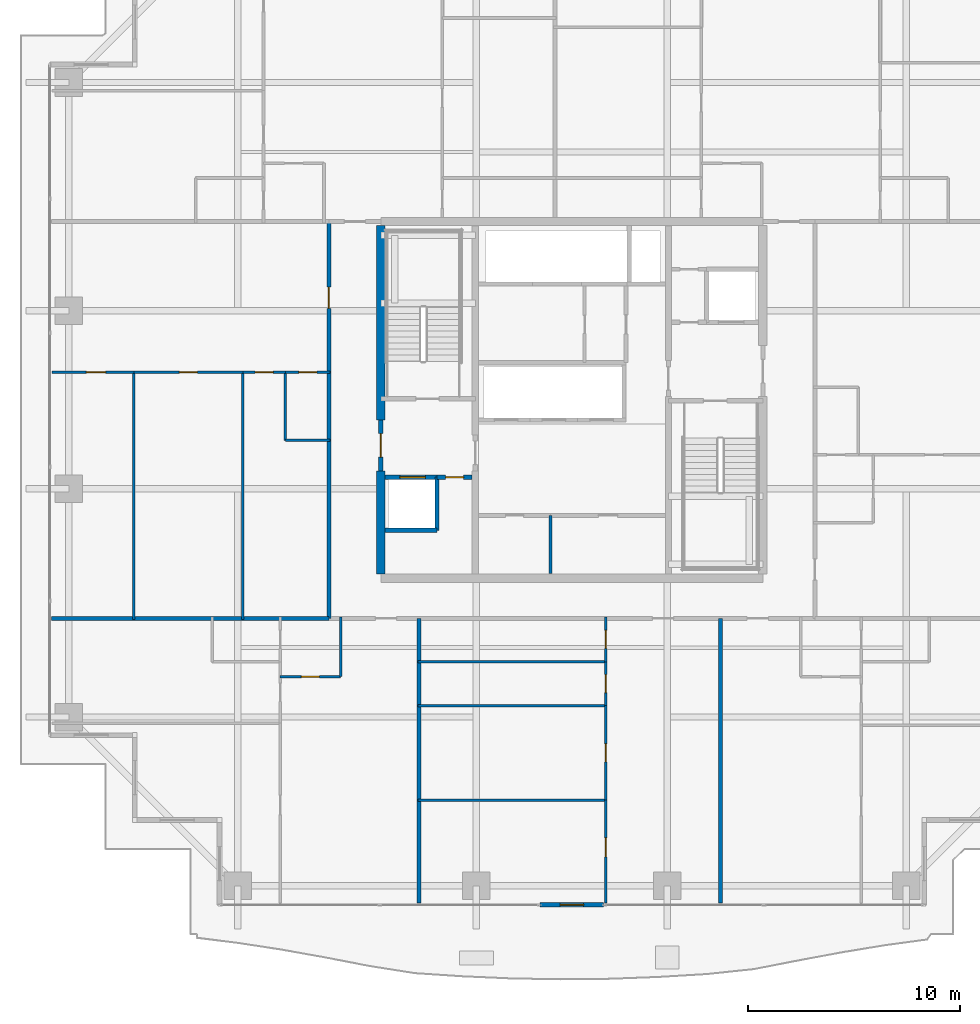
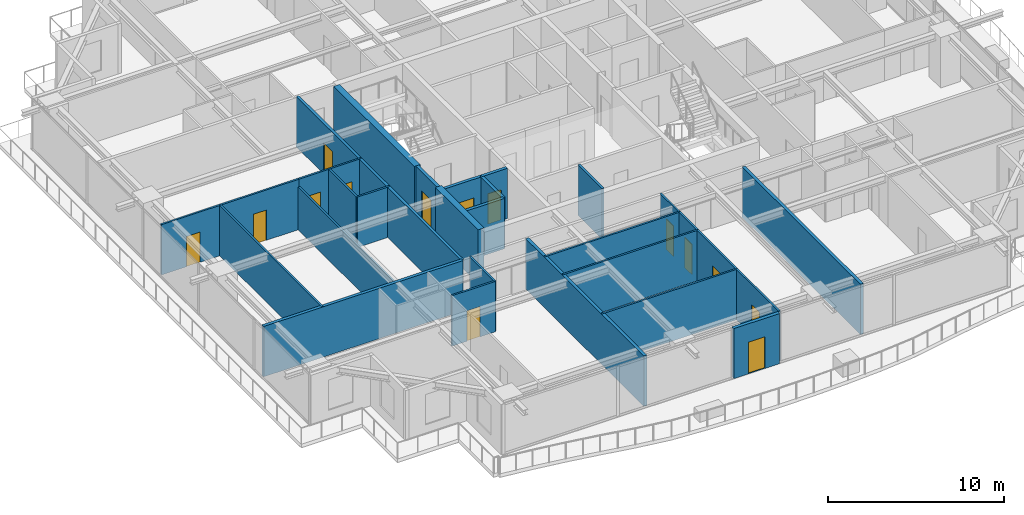
# One storey, part 27 of 37: 30 walls, 14 doors, 14 openings.
"""IFC4 building model written with IfcOpenShell, lengths in metres."""

from ifc_helpers import new_model, si_unit, direction, frame, frame_2d, origin, place, context, subcontext, project, spatial, rectangle, extrude, source, transform, mapped, material, layer, layer_set, type_object, element, fill, save


model = new_model("IFC4")

# Units and contexts
model_context = context("Model", 3, precision=1e-05, world=origin(), true_north=direction((0.0, 1.0)))
body_context = subcontext(model_context, "Body", "Model", "MODEL_VIEW")
ifc_project = project(units=[si_unit("LENGTHUNIT", "METRE"), si_unit("AREAUNIT", "SQUARE_METRE"), si_unit("VOLUMEUNIT", "CUBIC_METRE"), si_unit("PLANEANGLEUNIT", "RADIAN"), si_unit("MASSUNIT", "GRAM", prefix="KILO")], contexts=[model_context])

# Site, building, storey
site_placement = place(None, origin())
site = spatial("IfcSite", under=ifc_project, at=site_placement, CompositionType="ELEMENT")
building_placement = place(site_placement, origin())
building = spatial("IfcBuilding", under=site, at=building_placement, Name="Serunith Strait Residences", CompositionType="ELEMENT")
storey_placement = place(building_placement, frame((0.0, 0.0, 161.39990234375)))
storey = spatial("IfcBuildingStorey", under=building, at=storey_placement, Name="L40", CompositionType="ELEMENT", Elevation=161.39990234375)

# Wall, opening, door
ifc_material_1 = material(Name="Pale-Champagne Aluminium Insulated Panel", Category="aluminium")
ifc_layer_1 = layer(ifc_material_1, 0.219970703125, Name="Pale-Champagne Aluminium Insulated Panel")
ifc_layer_set_1 = layer_set([ifc_layer_1], Name="Pale-Champagne Aluminium Insulated Panel")
wall_type_1 = type_object("IfcWallType", Name="EW-ALUM-220", PredefinedType="ELEMENTEDWALL", material=ifc_layer_set_1)
wall_1_placement = place(storey_placement, frame((30.89990234375, 1.39990234375, 0.0), z_axis=(0.0, 0.0, 1.0), x_axis=(1.0, 0.0, 0.0)))
wall_1 = element("IfcWall", 1, at=wall_1_placement, inside=storey, type_object=wall_type_1, Name="L40 S Facade Pier Wall", PredefinedType="ELEMENTEDWALL", context=body_context, shape_type="SweptSolid", body=[
    extrude(rectangle(XDim=3.0, YDim=0.219970703125, at=frame_2d((1.5, 0.0))), origin(), (0.0, 0.0, 1.0), 3.47509765625),
])
opening_1_placement = place(wall_1_placement, frame((0.949951171875, 0.0, 0.0)))
opening_1 = element("IfcOpeningElement", 2, at=opening_1_placement, cuts=wall_1, Name="Opening ED-03", PredefinedType="OPENING", context=body_context, shape_type="SweptSolid", body=[
    extrude(rectangle(XDim=1.10009765625, YDim=2.199951171875, at=frame_2d((0.550048828125, 1.10009765625))), frame((0.0, 0.1201171875, 0.0), z_axis=(0.0, -1.0, 0.0), x_axis=(1.0, 0.0, 0.0)), (0.0, 0.0, 1.0), 0.239990234375),
])
ifc_material_2 = material(Name="Thermally-Broken Aluminium Glazed Balcony Door", Category="aluminium")
door_type_1 = type_object("IfcDoorType", Name="ED-BALC-1100", OperationType="NOTDEFINED", PredefinedType="DOOR", material=ifc_material_2)
shared_shape_1 = source(origin(), body_context, "Body", "SweptSolid", [
    extrude(rectangle(XDim=1.10009765625, YDim=2.199951171875, at=frame_2d((0.550048828125, 1.10009765625))), frame((0.0, 0.02490234375, 0.0), z_axis=(0.0, -1.0, 0.0), x_axis=(1.0, 0.0, 0.0)), (0.0, 0.0, 1.0), 0.050048828125),
])
door_1_placement = place(opening_1_placement, origin())
door_1 = element("IfcDoor", 3, at=door_1_placement, inside=storey, type_object=door_type_1, Name="L40 S Vertical-Forest Balcony Door", OperationType="SINGLE_SWING_LEFT", OverallHeight=2.199951171875, OverallWidth=1.10009765625, PredefinedType="DOOR", context=body_context, shape_type="MappedRepresentation", body=[
    mapped(shared_shape_1, transform((0.0, 0.0, 0.0), scale=1.0)),
])
fill(opening_1, door_1)

# Wall
ifc_material_3 = material(Name="Fire-rated masonry service closet wall", Category="masonry")
ifc_layer_2 = layer(ifc_material_3, 0.14990234375, Name="Fire-rated masonry service closet wall")
ifc_layer_set_2 = layer_set([ifc_layer_2], Name="Fire-rated masonry service closet wall")
wall_type_2 = type_object("IfcWallType", Name="IW-BOH-150", PredefinedType="PARTITIONING", material=ifc_layer_set_2)
wall_2_placement = place(storey_placement, frame((31.39990234375, 17.02001953125, 0.0), z_axis=(0.0, 0.0, 1.0), x_axis=(0.0, 1.0, 0.0)))
element("IfcWall", 4, at=wall_2_placement, inside=storey, type_object=wall_type_2, Name="L40 Partition Wall 017", PredefinedType="PARTITIONING", context=body_context, shape_type="SweptSolid", body=[
    extrude(rectangle(XDim=2.72998046875, YDim=0.14990234375, at=frame_2d((1.364990234375, 0.0))), origin(), (0.0, 0.0, 1.0), 3.489990234375),
])

# Wall, opening, door
ifc_material_4 = material(Name="Fire-rated acoustic gypsum partition")
ifc_layer_3 = layer(ifc_material_4, 0.179931640625, Name="Fire-rated acoustic gypsum partition")
ifc_layer_set_3 = layer_set([ifc_layer_3], Name="Fire-rated acoustic gypsum partition")
wall_type_3 = type_object("IfcWallType", Name="IW-CORR-180", PredefinedType="PARTITIONING", material=ifc_layer_set_3)
wall_3_placement = place(storey_placement, frame((20.949951171875, 14.89990234375, 0.0), z_axis=(0.0, 0.0, 1.0), x_axis=(0.0, 1.0, 0.0)))
wall_3 = element("IfcWall", 5, at=wall_3_placement, inside=storey, type_object=wall_type_3, Name="L40 Partition Wall 026", PredefinedType="PARTITIONING", context=body_context, shape_type="SweptSolid", body=[
    extrude(rectangle(XDim=18.7001953125, YDim=0.179931640625, at=frame_2d((9.35009765625, 0.0))), origin(), (0.0, 0.0, 1.0), 3.489990234375),
])
opening_2_placement = place(wall_3_placement, frame((14.60302734375, 0.0, 0.0)))
opening_2 = element("IfcOpeningElement", 6, at=opening_2_placement, cuts=wall_3, Name="Opening D-APT1000", PredefinedType="OPENING", context=body_context, shape_type="SweptSolid", body=[
    extrude(rectangle(XDim=1.0, YDim=2.14990234375, at=frame_2d((0.5, 1.074951171875))), frame((0.0, 0.10009765625, 0.0), z_axis=(0.0, -1.0, 0.0), x_axis=(1.0, 0.0, 0.0)), (0.0, 0.0, 1.0), 0.199951171875),
])
ifc_material_5 = material(Name="Solid timber engineered fire door", Category="wood")
door_type_2 = type_object("IfcDoorType", Name="ID-APT-1000", OperationType="NOTDEFINED", PredefinedType="DOOR", material=ifc_material_5)
shared_shape_2 = source(origin(), body_context, "Body", "SweptSolid", [
    extrude(rectangle(XDim=1.0, YDim=2.14990234375, at=frame_2d((0.5, 1.074951171875))), frame((0.0, 0.02490234375, 0.0), z_axis=(0.0, -1.0, 0.0), x_axis=(1.0, 0.0, 0.0)), (0.0, 0.0, 1.0), 0.050048828125),
])
door_2_placement = place(opening_2_placement, origin())
door_2 = element("IfcDoor", 7, at=door_2_placement, inside=storey, type_object=door_type_2, Name="L40 Unit 06 Entrance Door", OperationType="SINGLE_SWING_LEFT", OverallHeight=2.14990234375, OverallWidth=1.0, PredefinedType="DOOR", context=body_context, shape_type="MappedRepresentation", body=[
    mapped(shared_shape_2, transform((0.0, 0.0, 0.0), scale=1.0)),
])
fill(opening_2, door_2)

ifc_material_6 = material(Name="Lightweight steel-stud gypsum partition", Category="steel")
ifc_layer_4 = layer(ifc_material_6, 0.1201171875, Name="Lightweight steel-stud gypsum partition")
ifc_layer_set_4 = layer_set([ifc_layer_4], Name="Lightweight steel-stud gypsum partition")
wall_type_4 = type_object("IfcWallType", Name="IW-PART-120", PredefinedType="PARTITIONING", material=ifc_layer_set_4)
wall_4_placement = place(storey_placement, frame((18.64990234375, 12.14990234375, 0.0), z_axis=(0.0, 0.0, 1.0), x_axis=(1.0, 0.0, 0.0)))
wall_4 = element("IfcWall", 8, at=wall_4_placement, inside=storey, type_object=wall_type_4, Name="L40 Partition Wall 030", PredefinedType="PARTITIONING", context=body_context, shape_type="SweptSolid", body=[
    extrude(rectangle(XDim=2.85009765625, YDim=0.1201171875, at=frame_2d((1.425048828125, 0.0))), origin(), (0.0, 0.0, 1.0), 3.489990234375),
])
opening_3_placement = place(wall_4_placement, frame((1.0, 0.0, 0.0)))
opening_3 = element("IfcOpeningElement", 9, at=opening_3_placement, cuts=wall_4, Name="Opening D-RM850", PredefinedType="OPENING", context=body_context, shape_type="SweptSolid", body=[
    extrude(rectangle(XDim=0.85009765625, YDim=2.10009765625, at=frame_2d((0.425048828125, 1.050048828125))), frame((0.0, 0.070068359375, 0.0), z_axis=(0.0, -1.0, 0.0), x_axis=(1.0, 0.0, 0.0)), (0.0, 0.0, 1.0), 0.14013671875),
])
ifc_material_7 = material(Name="Engineered timber flush study and kitchen door", Category="wood")
door_type_3 = type_object("IfcDoorType", Name="ID-ROOM-850", OperationType="NOTDEFINED", PredefinedType="DOOR", material=ifc_material_7)
shared_shape_3 = source(origin(), body_context, "Body", "SweptSolid", [
    extrude(rectangle(XDim=0.85009765625, YDim=2.10009765625, at=frame_2d((0.425048828125, 1.050048828125))), frame((0.0, 0.02490234375, 0.0), z_axis=(0.0, -1.0, 0.0), x_axis=(1.0, 0.0, 0.0)), (0.0, 0.0, 1.0), 0.050048828125),
])
door_3_placement = place(opening_3_placement, origin())
door_3 = element("IfcDoor", 10, at=door_3_placement, inside=storey, type_object=door_type_3, Name="L40 Kitchen 4001 Door", OperationType="SINGLE_SWING_LEFT", OverallHeight=2.10009765625, OverallWidth=0.85009765625, PredefinedType="DOOR", context=body_context, shape_type="MappedRepresentation", body=[
    mapped(shared_shape_3, transform((0.0, 0.0, 0.0), scale=1.0)),
])
fill(opening_3, door_3)

# Wall
wall_5_placement = place(storey_placement, frame((21.5, 12.14990234375, 0.0), z_axis=(0.0, 0.0, 1.0), x_axis=(0.0, 1.0, 0.0)))
element("IfcWall", 11, at=wall_5_placement, inside=storey, type_object=wall_type_4, Name="L40 Partition Wall 031", PredefinedType="PARTITIONING", context=body_context, shape_type="SweptSolid", body=[
    extrude(rectangle(XDim=2.81005859375, YDim=0.1201171875, at=frame_2d((1.405029296875, 0.0))), origin(), (0.0, 0.0, 1.0), 3.489990234375),
])

# Wall, opening, door
wall_6_placement = place(storey_placement, frame((34.0, 1.4951171875, 0.0), z_axis=(0.0, 0.0, 1.0), x_axis=(0.0, 1.0, 0.0)))
wall_6 = element("IfcWall", 12, at=wall_6_placement, inside=storey, type_object=wall_type_4, Name="L40 Partition Wall 038", PredefinedType="PARTITIONING", context=body_context, shape_type="SweptSolid", body=[
    extrude(rectangle(XDim=4.8369140625, YDim=0.1201171875, at=frame_2d((2.41845703125, 0.0))), origin(), (0.0, 0.0, 1.0), 3.489990234375),
])
opening_4_placement = place(wall_6_placement, frame((2.1650390625, 0.0, 0.0)))
opening_4 = element("IfcOpeningElement", 13, at=opening_4_placement, cuts=wall_6, Name="Opening D-RM900", PredefinedType="OPENING", context=body_context, shape_type="SweptSolid", body=[
    extrude(rectangle(XDim=0.89990234375, YDim=2.10009765625, at=frame_2d((0.449951171875, 1.050048828125))), frame((0.0, 0.070068359375, 0.0), z_axis=(0.0, -1.0, 0.0), x_axis=(1.0, 0.0, 0.0)), (0.0, 0.0, 1.0), 0.14013671875),
])
ifc_material_8 = material(Name="Engineered timber flush bedroom door", Category="wood")
door_type_4 = type_object("IfcDoorType", Name="ID-ROOM-900", OperationType="NOTDEFINED", PredefinedType="DOOR", material=ifc_material_8)
shared_shape_4 = source(origin(), body_context, "Body", "SweptSolid", [
    extrude(rectangle(XDim=0.89990234375, YDim=2.10009765625, at=frame_2d((0.449951171875, 1.050048828125))), frame((0.0, 0.02490234375, 0.0), z_axis=(0.0, -1.0, 0.0), x_axis=(1.0, 0.0, 0.0)), (0.0, 0.0, 1.0), 0.050048828125),
])
door_4_placement = place(opening_4_placement, origin())
door_4 = element("IfcDoor", 14, at=door_4_placement, inside=storey, type_object=door_type_4, Name="L40 Master Bedroom 1 4002 Door", OperationType="SINGLE_SWING_LEFT", OverallHeight=2.10009765625, OverallWidth=0.89990234375, PredefinedType="DOOR", context=body_context, shape_type="MappedRepresentation", body=[
    mapped(shared_shape_4, transform((0.0, 0.0, 0.0), scale=1.0)),
])
fill(opening_4, door_4)

# Walls
for number, where, z_axis, x_axis, name in (
    (15, (25.139892578125, 6.33203125, 0.0), (0.0, 0.0, 1.0), (1.0, 0.0, 0.0), "L40 Partition Wall 039"),
    (16, (25.139892578125, 10.79296875, 0.0), (0.0, 0.0, 1.0), (1.0, 0.0, 0.0), "L40 Partition Wall 040"),
    (17, (25.139892578125, 12.85009765625, 0.0), (0.0, 0.0, 1.0), (1.0, 0.0, 0.0), "L40 Partition Wall 041"),
):
    element("IfcWall", number, at=place(storey_placement, frame(where, z_axis=z_axis, x_axis=x_axis)), inside=storey, type_object=wall_type_4, Name=name, PredefinedType="PARTITIONING", context=body_context, shape_type="SweptSolid", body=[
        extrude(rectangle(XDim=8.860107421875, YDim=0.1201171875, at=frame_2d((4.43017578125, 0.0))), origin(), (0.0, 0.0, 1.0), 3.489990234375),
    ])

# Wall, opening, door
wall_7_placement = place(storey_placement, frame((34.0, 6.333984375, 0.0), z_axis=(0.0, 0.0, 1.0), x_axis=(0.0, 1.0, 0.0)))
wall_7 = element("IfcWall", 18, at=wall_7_placement, inside=storey, type_object=wall_type_4, Name="L40 Partition Wall 042", PredefinedType="PARTITIONING", context=body_context, shape_type="SweptSolid", body=[
    extrude(rectangle(XDim=4.458984375, YDim=0.1201171875, at=frame_2d((2.2294921875, 0.0))), origin(), (0.0, 0.0, 1.0), 3.489990234375),
])
opening_5_placement = place(wall_7_placement, frame((1.803955078125, 0.0, 0.0)))
opening_5 = element("IfcOpeningElement", 19, at=opening_5_placement, cuts=wall_7, Name="Opening D-RM850", PredefinedType="OPENING", context=body_context, shape_type="SweptSolid", body=[
    extrude(rectangle(XDim=0.85009765625, YDim=2.10009765625, at=frame_2d((0.425048828125, 1.050048828125))), frame((0.0, 0.070068359375, 0.0), z_axis=(0.0, -1.0, 0.0), x_axis=(1.0, 0.0, 0.0)), (0.0, 0.0, 1.0), 0.14013671875),
])
door_5_placement = place(opening_5_placement, origin())
door_5 = element("IfcDoor", 20, at=door_5_placement, inside=storey, type_object=door_type_3, Name="L40 Dining 4002 Door", OperationType="SINGLE_SWING_RIGHT", OverallHeight=2.10009765625, OverallWidth=0.85009765625, PredefinedType="DOOR", context=body_context, shape_type="MappedRepresentation", body=[
    mapped(shared_shape_3, transform((0.0, 0.0, 0.0), scale=1.0)),
])
fill(opening_5, door_5)

wall_8_placement = place(storey_placement, frame((34.0, 10.794921875, 0.0), z_axis=(0.0, 0.0, 1.0), x_axis=(0.0, 1.0, 0.0)))
wall_8 = element("IfcWall", 21, at=wall_8_placement, inside=storey, type_object=wall_type_4, Name="L40 Partition Wall 043", PredefinedType="PARTITIONING", context=body_context, shape_type="SweptSolid", body=[
    extrude(rectangle(XDim=2.05517578125, YDim=0.1201171875, at=frame_2d((1.027587890625, 0.0))), origin(), (0.0, 0.0, 1.0), 3.489990234375),
])
opening_6_placement = place(wall_8_placement, frame((0.60205078125, 0.0, 0.0)))
opening_6 = element("IfcOpeningElement", 22, at=opening_6_placement, cuts=wall_8, Name="Opening D-RM850", PredefinedType="OPENING", context=body_context, shape_type="SweptSolid", body=[
    extrude(rectangle(XDim=0.85009765625, YDim=2.10009765625, at=frame_2d((0.425048828125, 1.050048828125))), frame((0.0, 0.070068359375, 0.0), z_axis=(0.0, -1.0, 0.0), x_axis=(1.0, 0.0, 0.0)), (0.0, 0.0, 1.0), 0.14013671875),
])
door_6_placement = place(opening_6_placement, origin())
door_6 = element("IfcDoor", 23, at=door_6_placement, inside=storey, type_object=door_type_3, Name="L40 Kitchen 4002 Door", OperationType="SINGLE_SWING_LEFT", OverallHeight=2.10009765625, OverallWidth=0.85009765625, PredefinedType="DOOR", context=body_context, shape_type="MappedRepresentation", body=[
    mapped(shared_shape_3, transform((0.0, 0.0, 0.0), scale=1.0)),
])
fill(opening_6, door_6)

wall_9_placement = place(storey_placement, frame((34.0, 12.85205078125, 0.0), z_axis=(0.0, 0.0, 1.0), x_axis=(0.0, 1.0, 0.0)))
wall_9 = element("IfcWall", 24, at=wall_9_placement, inside=storey, type_object=wall_type_4, Name="L40 Partition Wall 044", PredefinedType="PARTITIONING", context=body_context, shape_type="SweptSolid", body=[
    extrude(rectangle(XDim=2.10791015625, YDim=0.1201171875, at=frame_2d((1.053955078125, 0.0))), origin(), (0.0, 0.0, 1.0), 3.489990234375),
])
opening_7_placement = place(wall_9_placement, frame((0.62890625, 0.0, 0.0)))
opening_7 = element("IfcOpeningElement", 25, at=opening_7_placement, cuts=wall_9, Name="Opening D-BTH850", PredefinedType="OPENING", context=body_context, shape_type="SweptSolid", body=[
    extrude(rectangle(XDim=0.85009765625, YDim=2.10009765625, at=frame_2d((0.425048828125, 1.050048828125))), frame((0.0, 0.070068359375, 0.0), z_axis=(0.0, -1.0, 0.0), x_axis=(1.0, 0.0, 0.0)), (0.0, 0.0, 1.0), 0.14013671875),
])
ifc_material_9 = material(Name="Moisture-resistant timber bathroom door", Category="wood")
door_type_5 = type_object("IfcDoorType", Name="ID-BATH-850", OperationType="NOTDEFINED", PredefinedType="DOOR", material=ifc_material_9)
door_7_placement = place(opening_7_placement, origin())
door_7 = element("IfcDoor", 26, at=door_7_placement, inside=storey, type_object=door_type_5, Name="L40 Bathroom 4002 Door", OperationType="SINGLE_SWING_RIGHT", OverallHeight=2.10009765625, OverallWidth=0.85009765625, PredefinedType="DOOR", context=body_context, shape_type="MappedRepresentation", body=[
    mapped(shared_shape_3, transform((0.0, 0.0, 0.0), scale=1.0)),
])
fill(opening_7, door_7)

wall_10_placement = place(storey_placement, frame((7.89501953125, 26.489990234375, 0.0), z_axis=(0.0, 0.0, 1.0), x_axis=(1.0, 0.0, 0.0)))
wall_10 = element("IfcWall", 27, at=wall_10_placement, inside=storey, type_object=wall_type_4, Name="L40 Partition Wall 079", PredefinedType="PARTITIONING", context=body_context, shape_type="SweptSolid", body=[
    extrude(rectangle(XDim=3.864013671875, YDim=0.1201171875, at=frame_2d((1.93212890625, 0.0))), origin(), (0.0, 0.0, 1.0), 3.489990234375),
])
opening_8_placement = place(wall_10_placement, frame((1.6298828125, 0.0, 0.0)))
opening_8 = element("IfcOpeningElement", 28, at=opening_8_placement, cuts=wall_10, Name="Opening D-RM900", PredefinedType="OPENING", context=body_context, shape_type="SweptSolid", body=[
    extrude(rectangle(XDim=0.89990234375, YDim=2.10009765625, at=frame_2d((0.449951171875, 1.050048828125))), frame((0.0, 0.070068359375, 0.0), z_axis=(0.0, -1.0, 0.0), x_axis=(1.0, 0.0, 0.0)), (0.0, 0.0, 1.0), 0.14013671875),
])
door_8_placement = place(opening_8_placement, origin())
door_8 = element("IfcDoor", 29, at=door_8_placement, inside=storey, type_object=door_type_4, Name="L40 Master Bedroom 1 4006 Door", OperationType="SINGLE_SWING_LEFT", OverallHeight=2.10009765625, OverallWidth=0.89990234375, PredefinedType="DOOR", context=body_context, shape_type="MappedRepresentation", body=[
    mapped(shared_shape_4, transform((0.0, 0.0, 0.0), scale=1.0)),
])
fill(opening_8, door_8)

# Walls
wall_11_placement = place(storey_placement, frame((11.759033203125, 14.840087890625, 0.0), z_axis=(0.0, 0.0, 1.0), x_axis=(0.0, 1.0, 0.0)))
element("IfcWall", 30, at=wall_11_placement, inside=storey, type_object=wall_type_4, Name="L40 Partition Wall 080", PredefinedType="PARTITIONING", context=body_context, shape_type="SweptSolid", body=[
    extrude(rectangle(XDim=11.64990234375, YDim=0.1201171875, at=frame_2d((5.824951171875, 0.0))), origin(), (0.0, 0.0, 1.0), 3.489990234375),
])
wall_12_placement = place(storey_placement, frame((16.89990234375, 14.840087890625, 0.0), z_axis=(0.0, 0.0, 1.0), x_axis=(0.0, 1.0, 0.0)))
element("IfcWall", 31, at=wall_12_placement, inside=storey, type_object=wall_type_4, Name="L40 Partition Wall 081", PredefinedType="PARTITIONING", context=body_context, shape_type="SweptSolid", body=[
    extrude(rectangle(XDim=11.64990234375, YDim=0.1201171875, at=frame_2d((5.824951171875, 0.0))), origin(), (0.0, 0.0, 1.0), 2.97216796875),
])
wall_13_placement = place(storey_placement, frame((18.89990234375, 23.2900390625, 0.0), z_axis=(0.0, 0.0, 1.0), x_axis=(0.0, 1.0, 0.0)))
element("IfcWall", 32, at=wall_13_placement, inside=storey, type_object=wall_type_4, Name="L40 Partition Wall 082", PredefinedType="PARTITIONING", context=body_context, shape_type="SweptSolid", body=[
    extrude(rectangle(XDim=3.199951171875, YDim=0.1201171875, at=frame_2d((1.60009765625, 0.0))), origin(), (0.0, 0.0, 1.0), 3.489990234375),
])
wall_14_placement = place(storey_placement, frame((18.89990234375, 23.2900390625, 0.0), z_axis=(0.0, 0.0, 1.0), x_axis=(1.0, 0.0, 0.0)))
element("IfcWall", 33, at=wall_14_placement, inside=storey, type_object=wall_type_4, Name="L40 Partition Wall 083", PredefinedType="PARTITIONING", context=body_context, shape_type="SweptSolid", body=[
    extrude(rectangle(XDim=2.110107421875, YDim=0.1201171875, at=frame_2d((1.05517578125, 0.0))), origin(), (0.0, 0.0, 1.0), 3.489990234375),
])

# Wall, opening, door
wall_15_placement = place(storey_placement, frame((11.760986328125, 26.489990234375, 0.0), z_axis=(0.0, 0.0, 1.0), x_axis=(1.0, 0.0, 0.0)))
wall_15 = element("IfcWall", 34, at=wall_15_placement, inside=storey, type_object=wall_type_4, Name="L40 Partition Wall 084", PredefinedType="PARTITIONING", context=body_context, shape_type="SweptSolid", body=[
    extrude(rectangle(XDim=5.138916015625, YDim=0.1201171875, at=frame_2d((2.5693359375, 0.0))), origin(), (0.0, 0.0, 1.0), 3.489990234375),
])
opening_9_placement = place(wall_15_placement, frame((2.14404296875, 0.0, 0.0)))
opening_9 = element("IfcOpeningElement", 35, at=opening_9_placement, cuts=wall_15, Name="Opening D-RM850", PredefinedType="OPENING", context=body_context, shape_type="SweptSolid", body=[
    extrude(rectangle(XDim=0.85009765625, YDim=2.10009765625, at=frame_2d((0.425048828125, 1.050048828125))), frame((0.0, 0.070068359375, 0.0), z_axis=(0.0, -1.0, 0.0), x_axis=(1.0, 0.0, 0.0)), (0.0, 0.0, 1.0), 0.14013671875),
])
door_9_placement = place(opening_9_placement, origin())
door_9 = element("IfcDoor", 36, at=door_9_placement, inside=storey, type_object=door_type_3, Name="L40 Dining 4006 Door", OperationType="SINGLE_SWING_RIGHT", OverallHeight=2.10009765625, OverallWidth=0.85009765625, PredefinedType="DOOR", context=body_context, shape_type="MappedRepresentation", body=[
    mapped(shared_shape_3, transform((0.0, 0.0, 0.0), scale=1.0)),
])
fill(opening_9, door_9)

wall_16_placement = place(storey_placement, frame((16.902099609375, 26.489990234375, 0.0), z_axis=(0.0, 0.0, 1.0), x_axis=(1.0, 0.0, 0.0)))
wall_16 = element("IfcWall", 37, at=wall_16_placement, inside=storey, type_object=wall_type_4, Name="L40 Partition Wall 085", PredefinedType="PARTITIONING", context=body_context, shape_type="SweptSolid", body=[
    extrude(rectangle(XDim=1.997802734375, YDim=0.1201171875, at=frame_2d((0.9990234375, 0.0))), origin(), (0.0, 0.0, 1.0), 3.489990234375),
])
opening_10_placement = place(wall_16_placement, frame((0.573974609375, 0.0, 0.0)))
opening_10 = element("IfcOpeningElement", 38, at=opening_10_placement, cuts=wall_16, Name="Opening D-RM850", PredefinedType="OPENING", context=body_context, shape_type="SweptSolid", body=[
    extrude(rectangle(XDim=0.85009765625, YDim=2.10009765625, at=frame_2d((0.425048828125, 1.050048828125))), frame((0.0, 0.070068359375, 0.0), z_axis=(0.0, -1.0, 0.0), x_axis=(1.0, 0.0, 0.0)), (0.0, 0.0, 1.0), 0.14013671875),
])
door_10_placement = place(opening_10_placement, origin())
door_10 = element("IfcDoor", 39, at=door_10_placement, inside=storey, type_object=door_type_3, Name="L40 Kitchen 4006 Door", OperationType="SINGLE_SWING_LEFT", OverallHeight=2.10009765625, OverallWidth=0.85009765625, PredefinedType="DOOR", context=body_context, shape_type="MappedRepresentation", body=[
    mapped(shared_shape_3, transform((0.0, 0.0, 0.0), scale=1.0)),
])
fill(opening_10, door_10)

wall_17_placement = place(storey_placement, frame((18.902099609375, 26.489990234375, 0.0), z_axis=(0.0, 0.0, 1.0), x_axis=(1.0, 0.0, 0.0)))
wall_17 = element("IfcWall", 40, at=wall_17_placement, inside=storey, type_object=wall_type_4, Name="L40 Partition Wall 086", PredefinedType="PARTITIONING", context=body_context, shape_type="SweptSolid", body=[
    extrude(rectangle(XDim=2.10791015625, YDim=0.1201171875, at=frame_2d((1.053955078125, 0.0))), origin(), (0.0, 0.0, 1.0), 3.489990234375),
])
opening_11_placement = place(wall_17_placement, frame((0.62890625, 0.0, 0.0)))
opening_11 = element("IfcOpeningElement", 41, at=opening_11_placement, cuts=wall_17, Name="Opening D-BTH850", PredefinedType="OPENING", context=body_context, shape_type="SweptSolid", body=[
    extrude(rectangle(XDim=0.85009765625, YDim=2.10009765625, at=frame_2d((0.425048828125, 1.050048828125))), frame((0.0, 0.070068359375, 0.0), z_axis=(0.0, -1.0, 0.0), x_axis=(1.0, 0.0, 0.0)), (0.0, 0.0, 1.0), 0.14013671875),
])
door_11_placement = place(opening_11_placement, origin())
door_11 = element("IfcDoor", 42, at=door_11_placement, inside=storey, type_object=door_type_5, Name="L40 Bathroom 4006 Door", OperationType="SINGLE_SWING_RIGHT", OverallHeight=2.10009765625, OverallWidth=0.85009765625, PredefinedType="DOOR", context=body_context, shape_type="MappedRepresentation", body=[
    mapped(shared_shape_3, transform((0.0, 0.0, 0.0), scale=1.0)),
])
fill(opening_11, door_11)

# Walls
ifc_material_10 = material(Name="Twin-stud acoustic gypsum board partition")
ifc_layer_5 = layer(ifc_material_10, 0.199951171875, Name="Twin-stud acoustic gypsum board partition")
ifc_layer_set_5 = layer_set([ifc_layer_5], Name="Twin-stud acoustic gypsum board partition")
wall_type_5 = type_object("IfcWallType", Name="IW-PARTY-200", PredefinedType="PARTITIONING", material=ifc_layer_set_5)
for number, where, z_axis, x_axis, name in (
    (43, (25.199951171875, 1.48193359375, 0.0), (0.0, 0.0, 1.0), (0.0, 1.0, 0.0), "L40 Partition Wall 018"),
    (44, (39.39990234375, 1.48193359375, 0.0), (0.0, 0.0, 1.0), (0.0, 1.0, 0.0), "L40 Partition Wall 019"),
):
    element("IfcWall", number, at=place(storey_placement, frame(where, z_axis=z_axis, x_axis=x_axis)), inside=storey, type_object=wall_type_5, Name=name, PredefinedType="PARTITIONING", context=body_context, shape_type="SweptSolid", body=[
        extrude(rectangle(XDim=13.41796875, YDim=0.199951171875, at=frame_2d((6.708984375, 0.0))), origin(), (0.0, 0.0, 1.0), 3.489990234375),
    ])
wall_18_placement = place(storey_placement, frame((7.882080078125, 14.89990234375, 0.0), z_axis=(0.0, 0.0, 1.0), x_axis=(1.0, 0.0, 0.0)))
element("IfcWall", 45, at=wall_18_placement, inside=storey, type_object=wall_type_5, Name="L40 Partition Wall 021", PredefinedType="PARTITIONING", context=body_context, shape_type="SweptSolid", body=[
    extrude(rectangle(XDim=13.06787109375, YDim=0.199951171875, at=frame_2d((6.533935546875, 0.0))), origin(), (0.0, 0.0, 1.0), 3.489990234375),
])

# Wall, opening, door
ifc_material_11 = material(Name="Autoclaved aerated concrete blockwork", Category="masonry")
ifc_layer_6 = layer(ifc_material_11, 0.199951171875, Name="Autoclaved aerated concrete blockwork")
ifc_layer_set_6 = layer_set([ifc_layer_6], Name="Autoclaved aerated concrete blockwork")
wall_type_6 = type_object("IfcWallType", Name="IW-SHAFT-200", PredefinedType="STANDARD", material=ifc_layer_set_6)
wall_19_placement = place(storey_placement, frame((23.60009765625, 21.550048828125, 0.0), z_axis=(0.0, 0.0, 1.0), x_axis=(1.0, 0.0, 0.0)))
wall_19 = element("IfcWall", 46, at=wall_19_placement, inside=storey, type_object=wall_type_6, Name="L40 FL-1 North Shaft Wall", PredefinedType="STANDARD", context=body_context, shape_type="SweptSolid", body=[
    extrude(rectangle(XDim=2.449951171875, YDim=0.199951171875, at=frame_2d((1.22509765625, 0.0))), origin(), (0.0, 0.0, 1.0), 3.489990234375),
])
opening_12_placement = place(wall_19_placement, frame((0.699951171875, 0.0, 0.0)))
opening_12 = element("IfcOpeningElement", 47, at=opening_12_placement, cuts=wall_19, Name="Opening LD-FF1200", PredefinedType="OPENING", context=body_context, shape_type="SweptSolid", body=[
    extrude(rectangle(XDim=1.199951171875, YDim=2.199951171875, at=frame_2d((0.60009765625, 1.10009765625))), frame((0.0, 0.10986328125, 0.0), z_axis=(0.0, -1.0, 0.0), x_axis=(1.0, 0.0, 0.0)), (0.0, 0.0, 1.0), 0.219970703125),
])
ifc_material_12 = material(Name="Brushed stainless steel landing door", Category="steel")
door_type_6 = type_object("IfcDoorType", Name="LD-FF-1200", OperationType="DOUBLE_DOOR_SLIDING", PredefinedType="DOOR", material=ifc_material_12)
shared_shape_5 = source(origin(), body_context, "Body", "SweptSolid", [
    extrude(rectangle(XDim=1.199951171875, YDim=2.199951171875, at=frame_2d((0.60009765625, 1.10009765625))), frame((0.0, 0.02490234375, 0.0), z_axis=(0.0, -1.0, 0.0), x_axis=(1.0, 0.0, 0.0)), (0.0, 0.0, 1.0), 0.050048828125),
])
door_12_placement = place(opening_12_placement, origin())
door_12 = element("IfcDoor", 48, at=door_12_placement, inside=storey, type_object=door_type_6, Name="L40 FL-1 Landing Door", OperationType="DOUBLE_DOOR_SLIDING", OverallHeight=2.199951171875, OverallWidth=1.199951171875, PredefinedType="DOOR", context=body_context, shape_type="MappedRepresentation", body=[
    mapped(shared_shape_5, transform((0.0, 0.0, 0.0), scale=1.0)),
])
fill(opening_12, door_12)

# Walls
wall_20_placement = place(storey_placement, frame((26.050048828125, 19.050048828125, 0.0), z_axis=(0.0, 0.0, 1.0), x_axis=(0.0, 1.0, 0.0)))
element("IfcWall", 49, at=wall_20_placement, inside=storey, type_object=wall_type_6, Name="L40 Partition Wall 001", PredefinedType="STANDARD", context=body_context, shape_type="SweptSolid", body=[
    extrude(rectangle(XDim=2.5, YDim=0.199951171875, at=frame_2d((1.25, 0.0))), origin(), (0.0, 0.0, 1.0), 3.489990234375),
])
wall_21_placement = place(storey_placement, frame((23.60009765625, 19.050048828125, 0.0), z_axis=(0.0, 0.0, 1.0), x_axis=(1.0, 0.0, 0.0)))
element("IfcWall", 50, at=wall_21_placement, inside=storey, type_object=wall_type_6, Name="L40 Partition Wall 002", PredefinedType="STANDARD", context=body_context, shape_type="SweptSolid", body=[
    extrude(rectangle(XDim=2.449951171875, YDim=0.199951171875, at=frame_2d((1.22509765625, 0.0))), origin(), (0.0, 0.0, 1.0), 3.489990234375),
])

# Wall, opening, door
wall_22_placement = place(storey_placement, frame((26.052001953125, 21.550048828125, 0.0), z_axis=(0.0, 0.0, 1.0), x_axis=(1.0, 0.0, 0.0)))
wall_22 = element("IfcWall", 51, at=wall_22_placement, inside=storey, type_object=wall_type_6, Name="L40 Partition Wall 003", PredefinedType="STANDARD", context=body_context, shape_type="SweptSolid", body=[
    extrude(rectangle(XDim=1.64794921875, YDim=0.199951171875, at=frame_2d((0.823974609375, 0.0))), origin(), (0.0, 0.0, 1.0), 3.489990234375),
])
opening_13_placement = place(wall_22_placement, frame((0.39892578125, 0.0, 0.0)))
opening_13 = element("IfcOpeningElement", 52, at=opening_13_placement, cuts=wall_22, Name="Opening FD-850", PredefinedType="OPENING", context=body_context, shape_type="SweptSolid", body=[
    extrude(rectangle(XDim=0.85009765625, YDim=2.10009765625, at=frame_2d((0.425048828125, 1.050048828125))), frame((0.0, 0.10986328125, 0.0), z_axis=(0.0, -1.0, 0.0), x_axis=(1.0, 0.0, 0.0)), (0.0, 0.0, 1.0), 0.219970703125),
])
ifc_material_13 = material(Name="Powder-coated steel service closet door", Category="steel")
door_type_7 = type_object("IfcDoorType", Name="FD-BOH-850", OperationType="NOTDEFINED", PredefinedType="DOOR", material=ifc_material_13)
door_13_placement = place(opening_13_placement, origin())
door_13 = element("IfcDoor", 53, at=door_13_placement, inside=storey, type_object=door_type_7, Name="L40 South-West Core Service Door", OperationType="SINGLE_SWING_LEFT", OverallHeight=2.10009765625, OverallWidth=0.85009765625, PredefinedType="DOOR", context=body_context, shape_type="MappedRepresentation", body=[
    mapped(shared_shape_3, transform((0.0, 0.0, 0.0), scale=1.0)),
])
fill(opening_13, door_13)

wall_23_placement = place(storey_placement, frame((23.39990234375, 21.85205078125, 0.0), z_axis=(0.0, 0.0, 1.0), x_axis=(0.0, 1.0, 0.0)))
wall_23 = element("IfcWall", 54, at=wall_23_placement, inside=storey, type_object=wall_type_6, Name="L40 Partition Wall 007", PredefinedType="STANDARD", context=body_context, shape_type="SweptSolid", body=[
    extrude(rectangle(XDim=2.39599609375, YDim=0.199951171875, at=frame_2d((1.197998046875, 0.0))), origin(), (0.0, 0.0, 1.0), 3.489990234375),
])
opening_14_placement = place(wall_23_placement, frame((0.64794921875, 0.0, 0.0)))
opening_14 = element("IfcOpeningElement", 55, at=opening_14_placement, cuts=wall_23, Name="Opening FD-FFL", PredefinedType="OPENING", context=body_context, shape_type="SweptSolid", body=[
    extrude(rectangle(XDim=1.10009765625, YDim=2.14990234375, at=frame_2d((0.550048828125, 1.074951171875))), frame((0.0, 0.10986328125, 0.0), z_axis=(0.0, -1.0, 0.0), x_axis=(1.0, 0.0, 0.0)), (0.0, 0.0, 1.0), 0.219970703125),
])
ifc_material_14 = material(Name="Glazed steel smoke-lobby fire door", Category="steel")
door_type_8 = type_object("IfcDoorType", Name="FD-FFL-1100", OperationType="NOTDEFINED", PredefinedType="DOOR", material=ifc_material_14)
shared_shape_6 = source(origin(), body_context, "Body", "SweptSolid", [
    extrude(rectangle(XDim=1.10009765625, YDim=2.14990234375, at=frame_2d((0.550048828125, 1.074951171875))), frame((0.0, 0.02490234375, 0.0), z_axis=(0.0, -1.0, 0.0), x_axis=(1.0, 0.0, 0.0)), (0.0, 0.0, 1.0), 0.050048828125),
])
door_14_placement = place(opening_14_placement, origin())
door_14 = element("IfcDoor", 56, at=door_14_placement, inside=storey, type_object=door_type_8, Name="L40 FFL-1 Corridor Fire Door", OperationType="SINGLE_SWING_LEFT", OverallHeight=2.14990234375, OverallWidth=1.10009765625, PredefinedType="DOOR", context=body_context, shape_type="MappedRepresentation", body=[
    mapped(shared_shape_6, transform((0.0, 0.0, 0.0), scale=1.0)),
])
fill(opening_14, door_14)

# Walls
ifc_material_15 = material(Name="Concrete C70/85", Category="concrete")
ifc_layer_7 = layer(ifc_material_15, 0.39990234375, Name="Concrete C70/85")
ifc_layer_set_7 = layer_set([ifc_layer_7], Name="Concrete C70/85")
wall_type_7 = type_object("IfcWallType", Name="SW-400-C70", PredefinedType="SHEAR", material=ifc_layer_set_7)
wall_24_placement = place(storey_placement, frame((23.39990234375, 17.0, -0.260009765625), z_axis=(0.0, 0.0, 1.0), x_axis=(0.0, 1.0, 0.0)))
element("IfcWall", 57, at=wall_24_placement, inside=storey, type_object=wall_type_7, Name="L40 Core West Shear Wall South Pier", PredefinedType="SHEAR", context=body_context, shape_type="SweptSolid", body=[
    extrude(rectangle(XDim=4.85009765625, YDim=0.39990234375, at=frame_2d((2.425048828125, 0.0))), origin(), (0.0, 0.0, 1.0), 3.748046875),
])
wall_25_placement = place(storey_placement, frame((23.39990234375, 24.25, -0.260009765625), z_axis=(0.0, 0.0, 1.0), x_axis=(0.0, 1.0, 0.0)))
element("IfcWall", 58, at=wall_25_placement, inside=storey, type_object=wall_type_7, Name="L40 Core West Shear Wall North Pier", PredefinedType="SHEAR", context=body_context, shape_type="SweptSolid", body=[
    extrude(rectangle(XDim=9.14990234375, YDim=0.39990234375, at=frame_2d((4.574951171875, 0.0))), origin(), (0.0, 0.0, 1.0), 3.748046875),
])

save(model, "model.ifc")
